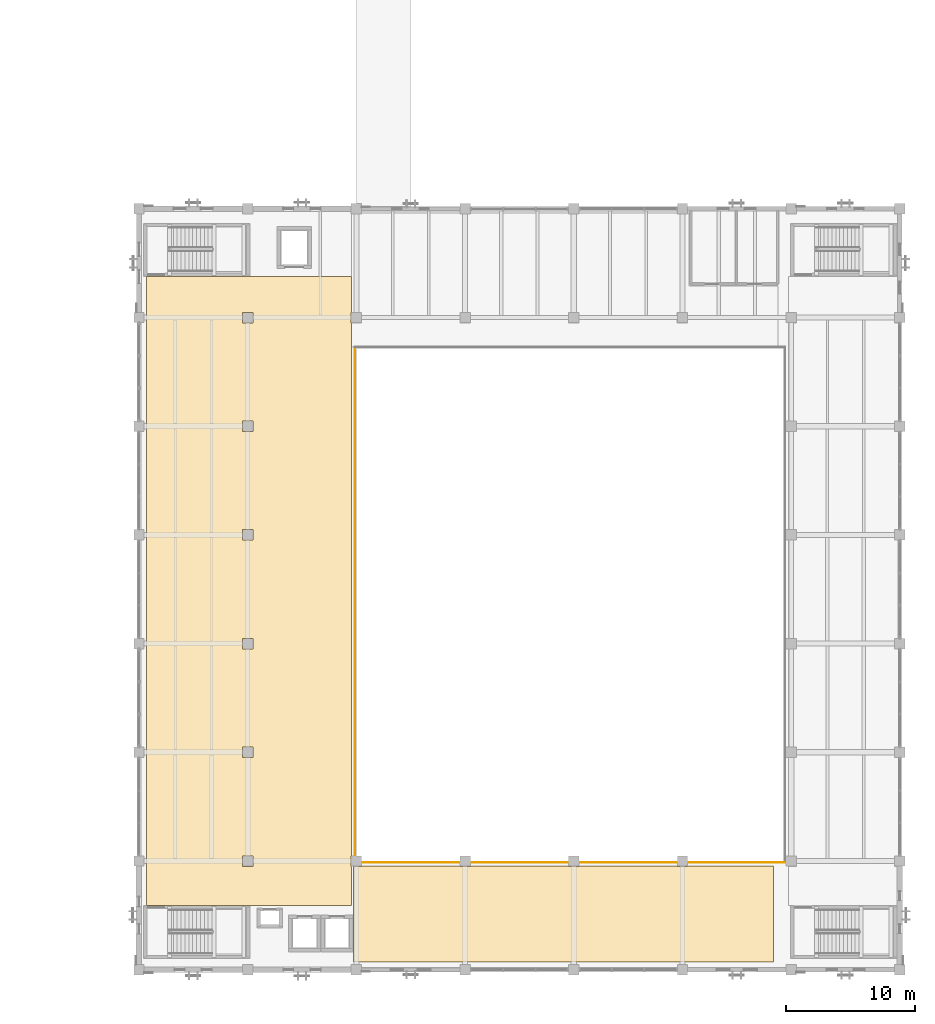
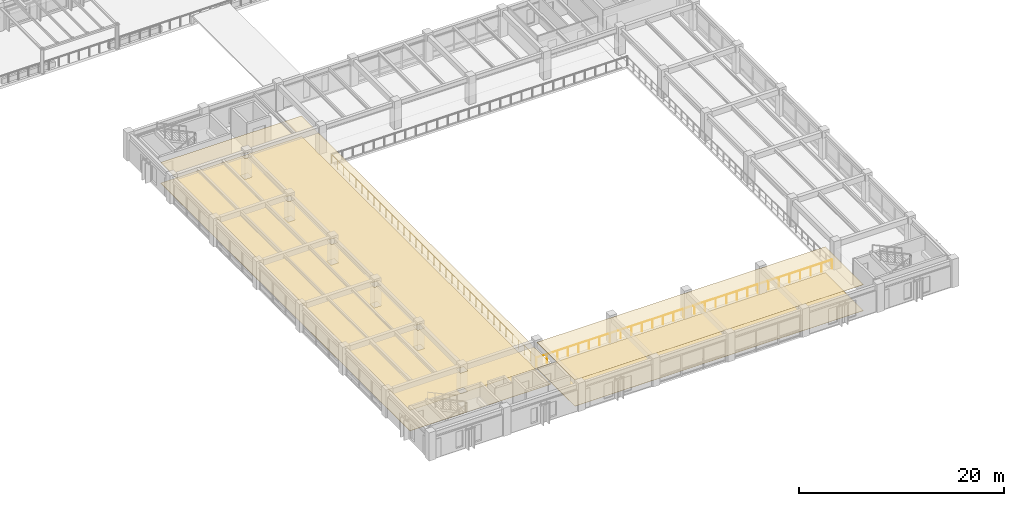
# One storey, part 98 of 111: 4 coverings, 2 railings.
"""IFC4 building model written with IfcOpenShell, lengths in metres."""

from ifc_helpers import new_model, si_unit, direction, frame, origin, origin_2d, place, context, subcontext, project, spatial, polyline, circle, outline, extrude, material, layer, layer_set, type_object, element, save


model = new_model("IFC4")

# Units and contexts
model_context = context("Model", 3, precision=1e-05, world=origin(), true_north=direction((0.0, 1.0)))
body_context = subcontext(model_context, "Body", "Model", "MODEL_VIEW")
ifc_project = project(units=[si_unit("LENGTHUNIT", "METRE"), si_unit("AREAUNIT", "SQUARE_METRE"), si_unit("VOLUMEUNIT", "CUBIC_METRE"), si_unit("PLANEANGLEUNIT", "RADIAN"), si_unit("MASSUNIT", "GRAM", prefix="KILO")], contexts=[model_context])

# Site, building, storey
site_placement = place(None, origin())
site = spatial("IfcSite", under=ifc_project, at=site_placement, CompositionType="ELEMENT")
building_placement = place(site_placement, origin())
building = spatial("IfcBuilding", under=site, at=building_placement, Name="Cumbredor Promenade Congress Hotel", CompositionType="ELEMENT")
storey_placement = place(building_placement, frame((0.0, 0.0, 15.1201171875)))
storey = spatial("IfcBuildingStorey", under=building, at=storey_placement, Name="L04", CompositionType="ELEMENT", Elevation=15.1201171875)

# Coverings
ifc_material_1 = material(Name="Acoustic mineral-fiber and gypsum ceiling")
ifc_layer_1 = layer(ifc_material_1, 0.01806640625, Name="Acoustic mineral-fiber and gypsum ceiling")
ifc_layer_set_1 = layer_set([ifc_layer_1], Name="Acoustic mineral-fiber and gypsum ceiling")
covering_type_1 = type_object("IfcCoveringType", Name="Acoustic Perforated Gypsum Ceiling CLG-01 18mm", PredefinedType="CEILING", material=ifc_layer_set_1)
covering_1_placement = place(storey_placement, frame((0.0, 0.0, 3.101806640625)))
element("IfcCovering", 1, at=covering_1_placement, inside=storey, type_object=covering_type_1, Name="L04 Plenary South Concourse Corridor Acoustic Ceiling", PredefinedType="CEILING", context=body_context, shape_type="SweptSolid", body=[
    extrude(outline(polyline([(24.97998046875, 16.39501953125), (25.60498046875, 16.39501953125), (25.60498046875, 16.419921875), (33.195068359375, 16.419921875), (33.195068359375, 16.39501953125), (34.0048828125, 16.39501953125), (34.0048828125, 16.419921875), (41.594970703125, 16.419921875), (41.594970703125, 16.39501953125), (42.405029296875, 16.39501953125), (42.405029296875, 16.419921875), (49.9951171875, 16.419921875), (49.9951171875, 16.39501953125), (50.804931640625, 16.39501953125), (50.804931640625, 16.419921875), (57.419921875, 16.419921875), (57.419921875, 8.97998046875), (24.97998046875, 8.97998046875), (24.97998046875, 16.39501953125)])), origin(), (0.0, 0.0, 1.0), 0.01806640625),
])
ifc_layer_2 = layer(ifc_material_1, 0.031982421875, Name="Acoustic mineral-fiber and gypsum ceiling")
ifc_layer_set_2 = layer_set([ifc_layer_2], Name="Acoustic mineral-fiber and gypsum ceiling")
covering_type_2 = type_object("IfcCoveringType", Name="Acoustic Perforated Gypsum Ceiling CLG-04 32mm", PredefinedType="CEILING", material=ifc_layer_set_2)
covering_2_placement = place(storey_placement, frame((0.0, 0.0, 2.43896484375)))
element("IfcCovering", 2, at=covering_2_placement, inside=storey, type_object=covering_type_2, Name="L04 Plenary West Pre-Function Gallery Acoustic Ceiling", PredefinedType="CEILING", context=body_context, shape_type="SweptSolid", body=[
    extrude(outline(polyline([(8.97998046875, 61.969970703125), (24.820068359375, 61.969970703125), (24.820068359375, 59.205078125), (24.794921875, 59.205078125), (24.794921875, 58.39501953125), (24.820068359375, 58.39501953125), (24.820068359375, 17.205078125), (24.794921875, 17.205078125), (24.794921875, 16.39501953125), (24.820068359375, 16.39501953125), (24.820068359375, 13.3798828125), (8.97998046875, 13.3798828125), (8.97998046875, 61.969970703125)]), holes=[polyline([(17.205078125, 16.39501953125), (17.205078125, 17.205078125), (16.39501953125, 17.205078125), (16.39501953125, 16.39501953125), (17.205078125, 16.39501953125)]), polyline([(16.39501953125, 24.794921875), (17.205078125, 24.794921875), (17.205078125, 25.60498046875), (16.39501953125, 25.60498046875), (16.39501953125, 24.794921875)]), polyline([(16.39501953125, 34.0048828125), (16.39501953125, 33.195068359375), (17.205078125, 33.195068359375), (17.205078125, 34.0048828125), (16.39501953125, 34.0048828125)]), polyline([(17.205078125, 42.405029296875), (16.39501953125, 42.405029296875), (16.39501953125, 41.594970703125), (17.205078125, 41.594970703125), (17.205078125, 42.405029296875)]), polyline([(17.205078125, 49.9951171875), (17.205078125, 50.804931640625), (16.39501953125, 50.804931640625), (16.39501953125, 49.9951171875), (17.205078125, 49.9951171875)]), polyline([(16.39501953125, 58.39501953125), (17.205078125, 58.39501953125), (17.205078125, 59.205078125), (16.39501953125, 59.205078125), (16.39501953125, 58.39501953125)])]), origin(), (0.0, 0.0, 1.0), 0.031982421875),
])

# Railings
ifc_material_2 = material(Name="Brushed stainless steel", Category="steel")
railing_type = type_object("IfcRailingType", Name="Interior Void & Stair Guardrail GR-1100", PredefinedType="GUARDRAIL", material=ifc_material_2)
railing_1_placement = place(storey_placement, frame((25.080078125, 16.679931640625, 0.0)))
element("IfcRailing", 3, at=railing_1_placement, inside=storey, type_object=railing_type, Name="L04 v1_plenary_bowl Void Perimeter Guardrail 1", PredefinedType="GUARDRAIL", context=body_context, shape_type="SweptSolid", body=[
    extrude(circle(Radius=0.02392578125, at=origin_2d()), frame((0.0, 0.0, 1.09619140625), z_axis=(1.0, 0.0, 0.0), x_axis=(0.0, 1.0, 0.0)), (0.0, 0.0, 1.0), 33.239990234375),
    extrude(circle(Radius=0.02099609375, at=origin_2d()), origin(), (0.0, 0.0, 1.0), 1.072021484375),
    extrude(circle(Radius=0.02099609375, at=origin_2d()), frame((1.187255859375, 0.0, 0.0)), (0.0, 0.0, 1.0), 1.072021484375),
    extrude(circle(Radius=0.02099609375, at=origin_2d()), frame((2.374267578125, 0.0, 0.0)), (0.0, 0.0, 1.0), 1.072021484375),
    extrude(circle(Radius=0.02099609375, at=origin_2d()), frame((3.5615234375, 0.0, 0.0)), (0.0, 0.0, 1.0), 1.072021484375),
    extrude(circle(Radius=0.02099609375, at=origin_2d()), frame((4.74853515625, 0.0, 0.0)), (0.0, 0.0, 1.0), 1.072021484375),
    extrude(circle(Radius=0.02099609375, at=origin_2d()), frame((5.935791015625, 0.0, 0.0)), (0.0, 0.0, 1.0), 1.072021484375),
    extrude(circle(Radius=0.02099609375, at=origin_2d()), frame((7.122802734375, 0.0, 0.0)), (0.0, 0.0, 1.0), 1.072021484375),
    extrude(circle(Radius=0.02099609375, at=origin_2d()), frame((8.31005859375, 0.0, 0.0)), (0.0, 0.0, 1.0), 1.072021484375),
    extrude(circle(Radius=0.02099609375, at=origin_2d()), frame((9.4970703125, 0.0, 0.0)), (0.0, 0.0, 1.0), 1.072021484375),
    extrude(circle(Radius=0.02099609375, at=origin_2d()), frame((10.684326171875, 0.0, 0.0)), (0.0, 0.0, 1.0), 1.072021484375),
    extrude(circle(Radius=0.02099609375, at=origin_2d()), frame((11.871337890625, 0.0, 0.0)), (0.0, 0.0, 1.0), 1.072021484375),
    extrude(circle(Radius=0.02099609375, at=origin_2d()), frame((13.05859375, 0.0, 0.0)), (0.0, 0.0, 1.0), 1.072021484375),
    extrude(circle(Radius=0.02099609375, at=origin_2d()), frame((14.24560546875, 0.0, 0.0)), (0.0, 0.0, 1.0), 1.072021484375),
    extrude(circle(Radius=0.02099609375, at=origin_2d()), frame((15.432861328125, 0.0, 0.0)), (0.0, 0.0, 1.0), 1.072021484375),
    extrude(circle(Radius=0.02099609375, at=origin_2d()), frame((16.6201171875, 0.0, 0.0)), (0.0, 0.0, 1.0), 1.072021484375),
    extrude(circle(Radius=0.02099609375, at=origin_2d()), frame((17.80712890625, 0.0, 0.0)), (0.0, 0.0, 1.0), 1.072021484375),
    extrude(circle(Radius=0.02099609375, at=origin_2d()), frame((18.994384765625, 0.0, 0.0)), (0.0, 0.0, 1.0), 1.072021484375),
    extrude(circle(Radius=0.02099609375, at=origin_2d()), frame((20.181396484375, 0.0, 0.0)), (0.0, 0.0, 1.0), 1.072021484375),
    extrude(circle(Radius=0.02099609375, at=origin_2d()), frame((21.36865234375, 0.0, 0.0)), (0.0, 0.0, 1.0), 1.072021484375),
    extrude(circle(Radius=0.02099609375, at=origin_2d()), frame((22.5556640625, 0.0, 0.0)), (0.0, 0.0, 1.0), 1.072021484375),
    extrude(circle(Radius=0.02099609375, at=origin_2d()), frame((23.742919921875, 0.0, 0.0)), (0.0, 0.0, 1.0), 1.072021484375),
    extrude(circle(Radius=0.02099609375, at=origin_2d()), frame((24.929931640625, 0.0, 0.0)), (0.0, 0.0, 1.0), 1.072021484375),
    extrude(circle(Radius=0.02099609375, at=origin_2d()), frame((26.1171875, 0.0, 0.0)), (0.0, 0.0, 1.0), 1.072021484375),
    extrude(circle(Radius=0.02099609375, at=origin_2d()), frame((27.30419921875, 0.0, 0.0)), (0.0, 0.0, 1.0), 1.072021484375),
    extrude(circle(Radius=0.02099609375, at=origin_2d()), frame((28.491455078125, 0.0, 0.0)), (0.0, 0.0, 1.0), 1.072021484375),
    extrude(circle(Radius=0.02099609375, at=origin_2d()), frame((29.678466796875, 0.0, 0.0)), (0.0, 0.0, 1.0), 1.072021484375),
    extrude(circle(Radius=0.02099609375, at=origin_2d()), frame((30.86572265625, 0.0, 0.0)), (0.0, 0.0, 1.0), 1.072021484375),
    extrude(circle(Radius=0.02099609375, at=origin_2d()), frame((32.052734375, 0.0, 0.0)), (0.0, 0.0, 1.0), 1.072021484375),
    extrude(circle(Radius=0.02099609375, at=origin_2d()), frame((33.239990234375, 0.0, 0.0)), (0.0, 0.0, 1.0), 1.072021484375),
])
railing_2_placement = place(storey_placement, frame((25.080078125, 56.52001953125, 0.0)))
element("IfcRailing", 4, at=railing_2_placement, inside=storey, type_object=railing_type, Name="L04 v1_plenary_bowl Void Perimeter Guardrail 4", PredefinedType="GUARDRAIL", context=body_context, shape_type="SweptSolid", body=[
    extrude(circle(Radius=0.02392578125, at=origin_2d()), frame((0.0, 0.0, 1.09619140625), z_axis=(0.0, -1.0, 0.0), x_axis=(1.0, 0.0, 0.0)), (0.0, 0.0, 1.0), 39.840087890625),
    extrude(circle(Radius=0.02099609375, at=origin_2d()), origin(), (0.0, 0.0, 1.0), 1.072021484375),
    extrude(circle(Radius=0.02099609375, at=origin_2d()), frame((0.0, -1.171875, 0.0)), (0.0, 0.0, 1.0), 1.072021484375),
    extrude(circle(Radius=0.02099609375, at=origin_2d()), frame((0.0, -2.343505859375, 0.0)), (0.0, 0.0, 1.0), 1.072021484375),
    extrude(circle(Radius=0.02099609375, at=origin_2d()), frame((0.0, -3.515380859375, 0.0)), (0.0, 0.0, 1.0), 1.072021484375),
    extrude(circle(Radius=0.02099609375, at=origin_2d()), frame((0.0, -4.68701171875, 0.0)), (0.0, 0.0, 1.0), 1.072021484375),
    extrude(circle(Radius=0.02099609375, at=origin_2d()), frame((0.0, -5.85888671875, 0.0)), (0.0, 0.0, 1.0), 1.072021484375),
    extrude(circle(Radius=0.02099609375, at=origin_2d()), frame((0.0, -7.030517578125, 0.0)), (0.0, 0.0, 1.0), 1.072021484375),
    extrude(circle(Radius=0.02099609375, at=origin_2d()), frame((0.0, -8.202392578125, 0.0)), (0.0, 0.0, 1.0), 1.072021484375),
    extrude(circle(Radius=0.02099609375, at=origin_2d()), frame((0.0, -9.3740234375, 0.0)), (0.0, 0.0, 1.0), 1.072021484375),
    extrude(circle(Radius=0.02099609375, at=origin_2d()), frame((0.0, -10.5458984375, 0.0)), (0.0, 0.0, 1.0), 1.072021484375),
    extrude(circle(Radius=0.02099609375, at=origin_2d()), frame((0.0, -11.7177734375, 0.0)), (0.0, 0.0, 1.0), 1.072021484375),
    extrude(circle(Radius=0.02099609375, at=origin_2d()), frame((0.0, -12.889404296875, 0.0)), (0.0, 0.0, 1.0), 1.072021484375),
    extrude(circle(Radius=0.02099609375, at=origin_2d()), frame((0.0, -14.061279296875, 0.0)), (0.0, 0.0, 1.0), 1.072021484375),
    extrude(circle(Radius=0.02099609375, at=origin_2d()), frame((0.0, -15.23291015625, 0.0)), (0.0, 0.0, 1.0), 1.072021484375),
    extrude(circle(Radius=0.02099609375, at=origin_2d()), frame((0.0, -16.40478515625, 0.0)), (0.0, 0.0, 1.0), 1.072021484375),
    extrude(circle(Radius=0.02099609375, at=origin_2d()), frame((0.0, -17.576416015625, 0.0)), (0.0, 0.0, 1.0), 1.072021484375),
    extrude(circle(Radius=0.02099609375, at=origin_2d()), frame((0.0, -18.748291015625, 0.0)), (0.0, 0.0, 1.0), 1.072021484375),
    extrude(circle(Radius=0.02099609375, at=origin_2d()), frame((0.0, -19.919921875, 0.0)), (0.0, 0.0, 1.0), 1.072021484375),
    extrude(circle(Radius=0.02099609375, at=origin_2d()), frame((0.0, -21.091796875, 0.0)), (0.0, 0.0, 1.0), 1.072021484375),
    extrude(circle(Radius=0.02099609375, at=origin_2d()), frame((0.0, -22.263671875, 0.0)), (0.0, 0.0, 1.0), 1.072021484375),
    extrude(circle(Radius=0.02099609375, at=origin_2d()), frame((0.0, -23.435302734375, 0.0)), (0.0, 0.0, 1.0), 1.072021484375),
    extrude(circle(Radius=0.02099609375, at=origin_2d()), frame((0.0, -24.607177734375, 0.0)), (0.0, 0.0, 1.0), 1.072021484375),
    extrude(circle(Radius=0.02099609375, at=origin_2d()), frame((0.0, -25.77880859375, 0.0)), (0.0, 0.0, 1.0), 1.072021484375),
    extrude(circle(Radius=0.02099609375, at=origin_2d()), frame((0.0, -26.95068359375, 0.0)), (0.0, 0.0, 1.0), 1.072021484375),
    extrude(circle(Radius=0.02099609375, at=origin_2d()), frame((0.0, -28.122314453125, 0.0)), (0.0, 0.0, 1.0), 1.072021484375),
    extrude(circle(Radius=0.02099609375, at=origin_2d()), frame((0.0, -29.294189453125, 0.0)), (0.0, 0.0, 1.0), 1.072021484375),
    extrude(circle(Radius=0.02099609375, at=origin_2d()), frame((0.0, -30.466064453125, 0.0)), (0.0, 0.0, 1.0), 1.072021484375),
    extrude(circle(Radius=0.02099609375, at=origin_2d()), frame((0.0, -31.6376953125, 0.0)), (0.0, 0.0, 1.0), 1.072021484375),
    extrude(circle(Radius=0.02099609375, at=origin_2d()), frame((0.0, -32.8095703125, 0.0)), (0.0, 0.0, 1.0), 1.072021484375),
    extrude(circle(Radius=0.02099609375, at=origin_2d()), frame((0.0, -33.981201171875, 0.0)), (0.0, 0.0, 1.0), 1.072021484375),
    extrude(circle(Radius=0.02099609375, at=origin_2d()), frame((0.0, -35.153076171875, 0.0)), (0.0, 0.0, 1.0), 1.072021484375),
    extrude(circle(Radius=0.02099609375, at=origin_2d()), frame((0.0, -36.32470703125, 0.0)), (0.0, 0.0, 1.0), 1.072021484375),
    extrude(circle(Radius=0.02099609375, at=origin_2d()), frame((0.0, -37.49658203125, 0.0)), (0.0, 0.0, 1.0), 1.072021484375),
    extrude(circle(Radius=0.02099609375, at=origin_2d()), frame((0.0, -38.668212890625, 0.0)), (0.0, 0.0, 1.0), 1.072021484375),
    extrude(circle(Radius=0.02099609375, at=origin_2d()), frame((0.0, -39.840087890625, 0.0)), (0.0, 0.0, 1.0), 1.072021484375),
])

# Coverings
ifc_material_3 = material(Name="Porcelain stoneware tile", Category="masonry")
ifc_layer_3 = layer(ifc_material_3, 0.02001953125, Name="Porcelain stoneware tile", Category="masonry")
ifc_layer_set_3 = layer_set([ifc_layer_3], Name="Porcelain stoneware tile")
covering_type_3 = type_object("IfcCoveringType", Name="Porcelain Stoneware Flooring FLR-01 20mm", PredefinedType="FLOORING", material=ifc_layer_set_3)
covering_3_placement = place(storey_placement, origin())
element("IfcCovering", 5, at=covering_3_placement, inside=storey, type_object=covering_type_3, Name="L04 Plenary West Pre-Function Gallery Porcelain Flooring", PredefinedType="FLOORING", context=body_context, shape_type="SweptSolid", body=[
    extrude(outline(polyline([(8.97998046875, 61.969970703125), (24.820068359375, 61.969970703125), (24.820068359375, 59.205078125), (24.794921875, 59.205078125), (24.794921875, 58.39501953125), (24.820068359375, 58.39501953125), (24.820068359375, 17.205078125), (24.794921875, 17.205078125), (24.794921875, 16.39501953125), (24.820068359375, 16.39501953125), (24.820068359375, 13.3798828125), (8.97998046875, 13.3798828125), (8.97998046875, 61.969970703125)]), holes=[polyline([(17.205078125, 16.39501953125), (17.205078125, 17.205078125), (16.39501953125, 17.205078125), (16.39501953125, 16.39501953125), (17.205078125, 16.39501953125)]), polyline([(16.39501953125, 24.794921875), (17.205078125, 24.794921875), (17.205078125, 25.60498046875), (16.39501953125, 25.60498046875), (16.39501953125, 24.794921875)]), polyline([(16.39501953125, 34.0048828125), (16.39501953125, 33.195068359375), (17.205078125, 33.195068359375), (17.205078125, 34.0048828125), (16.39501953125, 34.0048828125)]), polyline([(17.205078125, 42.405029296875), (16.39501953125, 42.405029296875), (16.39501953125, 41.594970703125), (17.205078125, 41.594970703125), (17.205078125, 42.405029296875)]), polyline([(17.205078125, 49.9951171875), (17.205078125, 50.804931640625), (16.39501953125, 50.804931640625), (16.39501953125, 49.9951171875), (17.205078125, 49.9951171875)]), polyline([(16.39501953125, 58.39501953125), (17.205078125, 58.39501953125), (17.205078125, 59.205078125), (16.39501953125, 59.205078125), (16.39501953125, 58.39501953125)])]), origin(), (0.0, 0.0, 1.0), 0.019775390625),
])
ifc_layer_4 = layer(ifc_material_3, 0.02490234375, Name="Porcelain stoneware tile", Category="masonry")
ifc_layer_set_4 = layer_set([ifc_layer_4], Name="Porcelain stoneware tile")
covering_type_4 = type_object("IfcCoveringType", Name="Porcelain Stoneware Flooring FLR-02 25mm", PredefinedType="FLOORING", material=ifc_layer_set_4)
covering_4_placement = place(storey_placement, origin())
element("IfcCovering", 6, at=covering_4_placement, inside=storey, type_object=covering_type_4, Name="L04 Plenary South Concourse Corridor Porcelain Flooring", PredefinedType="FLOORING", context=body_context, shape_type="SweptSolid", body=[
    extrude(outline(polyline([(24.97998046875, 16.39501953125), (25.60498046875, 16.39501953125), (25.60498046875, 16.419921875), (33.195068359375, 16.419921875), (33.195068359375, 16.39501953125), (34.0048828125, 16.39501953125), (34.0048828125, 16.419921875), (41.594970703125, 16.419921875), (41.594970703125, 16.39501953125), (42.405029296875, 16.39501953125), (42.405029296875, 16.419921875), (49.9951171875, 16.419921875), (49.9951171875, 16.39501953125), (50.804931640625, 16.39501953125), (50.804931640625, 16.419921875), (57.419921875, 16.419921875), (57.419921875, 8.97998046875), (24.97998046875, 8.97998046875), (24.97998046875, 16.39501953125)])), origin(), (0.0, 0.0, 1.0), 0.02490234375),
])

save(model, "model.ifc")
